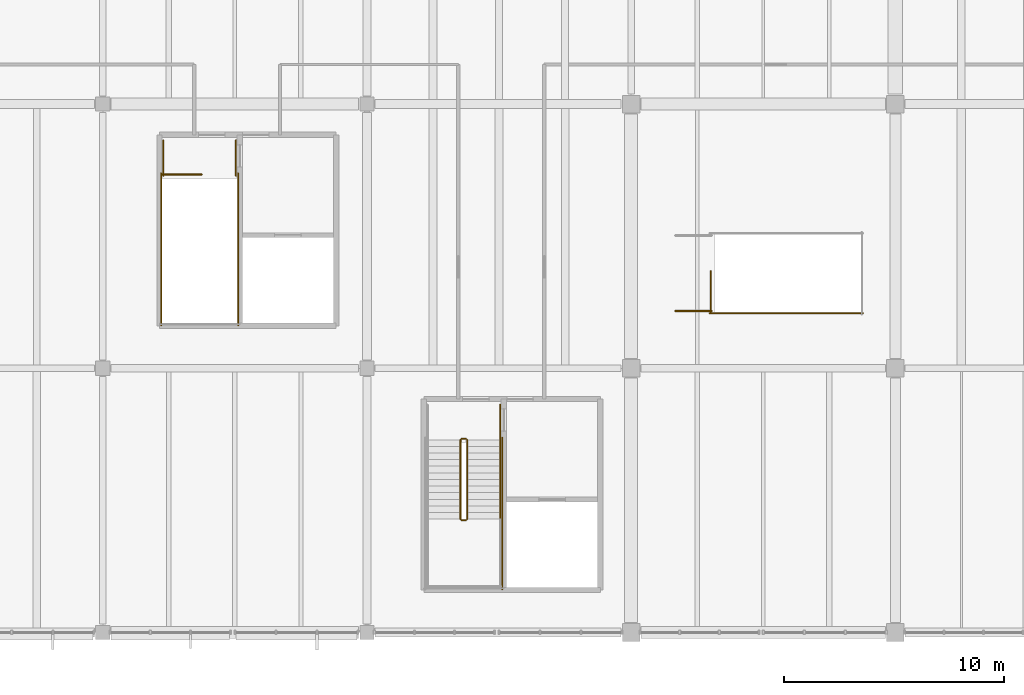
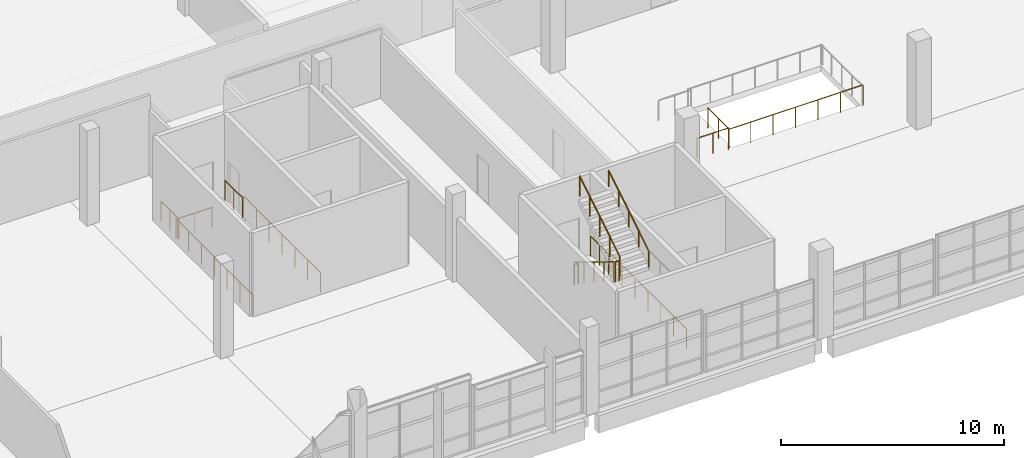
# One storey, part 93 of 112: 15 railings.
"""IFC4 building model written with IfcOpenShell, lengths in metres."""

import ifcopenshell
import ifcopenshell.guid

model = None  # the IFC model being written
_history = None  # IfcOwnerHistory: only IFC2X3 demands one
_inside = {}  # id of a spatial element -> (the spatial element, [elements in it])
_under = {}  # id of a project, library or spatial element -> (it, [spatial elements below it])
_declared = {}  # id of a project -> (the project, [libraries it declares])
_typed = {}  # id of a type object -> (the type object, [elements of that type])
_made_of = {}  # id of a material, layer set ... -> (it, [elements and type objects made of it])


def new_model(schema):
    """Start an empty IFC model of exactly this schema.

    Asked for "IFC4X3", IfcOpenShell would pick the latest addendum, in which some entities
    have other attributes; the version numbers below select the first issue.
    IFC2X3 requires an IfcOwnerHistory on every rooted entity: one is made here for all.
    """
    global model, _history
    if schema == "IFC4X3":
        model = ifcopenshell.file(schema_version=(4, 3, 0, 0))
    else:
        model = ifcopenshell.file(schema=schema)
    _inside.clear()
    _under.clear()
    _declared.clear()
    _typed.clear()
    _made_of.clear()
    _history = None
    if model.schema == "IFC2X3":
        org = make("IfcOrganization", Name="unknown")
        user = make(
            "IfcPersonAndOrganization",
            ThePerson=make("IfcPerson", FamilyName="unknown"),
            TheOrganization=org,
        )
        app = make(
            "IfcApplication",
            ApplicationDeveloper=org,
            Version="unknown",
            ApplicationFullName="unknown",
            ApplicationIdentifier="unknown",
        )
        _history = make(
            "IfcOwnerHistory",
            OwningUser=user,
            OwningApplication=app,
            ChangeAction="ADDED",
            CreationDate=0,
        )
    return model


def make(cls, **values):
    """One entity of the class cls with the attributes given. An attribute that is None is left unset."""
    return model.create_entity(
        cls, **{name: value for name, value in values.items() if value is not None}
    )


def rooted(cls, **values):
    """An entity with a GlobalId (a new one), such as an element, a storey or a relation."""
    return make(cls, GlobalId=ifcopenshell.guid.new(), OwnerHistory=_history, **values)


def si_unit(unit_type, name, prefix=None):
    """IfcSIUnit, for example si_unit("LENGTHUNIT", "METRE", prefix="MILLI")."""
    return make("IfcSIUnit", UnitType=unit_type, Prefix=prefix, Name=name)


def assignment(units):
    """IfcUnitAssignment: the units of a project."""
    return None if units is None else make("IfcUnitAssignment", Units=units)


def point(xyz):
    """IfcCartesianPoint."""
    return None if xyz is None else make("IfcCartesianPoint", Coordinates=xyz)


def direction(xyz):
    """IfcDirection."""
    return None if xyz is None else make("IfcDirection", DirectionRatios=xyz)


def frame(location, z_axis=None, x_axis=None):
    """IfcAxis2Placement3D, a coordinate frame: its origin and axes. An axis left out is left unset."""
    return make(
        "IfcAxis2Placement3D",
        Location=point(location),
        Axis=direction(z_axis),
        RefDirection=direction(x_axis),
    )


def frame_2d(location, x_axis=None):
    """IfcAxis2Placement2D, a coordinate frame in the plane: its origin and x axis."""
    return make(
        "IfcAxis2Placement2D", Location=point(location), RefDirection=direction(x_axis)
    )


def origin():
    """The frame at (0, 0, 0) with its axes left unset."""
    return frame((0.0, 0.0, 0.0))


def origin_2d():
    """The frame at (0, 0) in the plane with its x axis left unset."""
    return frame_2d((0.0, 0.0))


def place(relative_to, where):
    """IfcLocalPlacement: puts the frame where relative to a parent placement (None: the world)."""
    return make(
        "IfcLocalPlacement", PlacementRelTo=relative_to, RelativePlacement=where
    )


def context(
    kind, dimensions, precision=None, world=None, true_north=None, identifier=None
):
    """IfcGeometricRepresentationContext, for example the 3D "Model" context."""
    return make(
        "IfcGeometricRepresentationContext",
        ContextIdentifier=identifier,
        ContextType=kind,
        CoordinateSpaceDimension=dimensions,
        Precision=precision,
        WorldCoordinateSystem=world,
        TrueNorth=true_north,
    )


def subcontext(parent, identifier, kind, view, scale=None):
    """IfcGeometricRepresentationSubContext, for example "Body" below "Model"."""
    return make(
        "IfcGeometricRepresentationSubContext",
        ContextIdentifier=identifier,
        ContextType=kind,
        ParentContext=parent,
        TargetScale=scale,
        TargetView=view,
    )


def project(units=None, contexts=None):
    """IfcProject with its units and contexts."""
    return rooted(
        "IfcProject",
        Name="project",
        RepresentationContexts=contexts,
        UnitsInContext=assignment(units),
    )


def spatial(cls, under=None, at=None, **own):
    """A site, building, storey or space (cls), placed at a placement, below another one or the project."""
    s = rooted(cls, ObjectPlacement=at, **own)
    if under is not None:
        _under.setdefault(under.id(), (under, []))[1].append(s)
    return s


def profile(cls, at=None, kind="AREA", **sizes):
    """A parametric profile (cls). Its sizes go by their IFC names, for example OverallWidth=200.0."""
    return make(cls, ProfileType=kind, Position=at, **sizes)


def circle(**sizes):
    """IfcCircleProfileDef."""
    return profile("IfcCircleProfileDef", **sizes)


def extrude(swept, where, along, depth):
    """IfcExtrudedAreaSolid: the profile swept, set in the frame where, extruded along a direction by depth."""
    return make(
        "IfcExtrudedAreaSolid",
        SweptArea=swept,
        Position=where,
        ExtrudedDirection=direction(along),
        Depth=depth,
    )


def shape(context_of_items, identifier, shape_type, items):
    """IfcShapeRepresentation: the items that make up one representation, for example the "Body"."""
    return make(
        "IfcShapeRepresentation",
        ContextOfItems=context_of_items,
        RepresentationIdentifier=identifier,
        RepresentationType=shape_type,
        Items=items,
    )


def material(Name=None, Category=None):
    """IfcMaterial."""
    return make("IfcMaterial", Name=Name, Category=Category)


def made_of(thing, what):
    """Note that an element or type object is made of a material, layer set ...; save() writes the relation."""
    if what is not None:
        _made_of.setdefault(what.id(), (what, []))[1].append(thing)
    return thing


def type_object(cls, material=None, **own):
    """A type object (cls), such as IfcWallType, which elements share."""
    return made_of(rooted(cls, **own), material)


def element(
    cls,
    number,
    at=None,
    inside=None,
    cuts=None,
    type_object=None,
    material=None,
    context=None,
    identifier="Body",
    shape_type=None,
    held_by="IfcProductDefinitionShape",
    body=None,
    shapes=None,
    **own,
):
    """One element of the class cls, such as IfcWall. Its Tag is "e" and its number.

    at: its placement. inside: the storey or other place that contains it. cuts: it is an
    opening in that element (IfcRelVoidsElement). A single representation is given by context,
    identifier, shape_type and body (its items); several are given by shapes. held_by: the class
    of the entity that holds the representations. save() writes the other relations.
    """
    e = rooted(cls, Tag="e%d" % number, ObjectPlacement=at, **own)
    if body is not None:
        shapes = [shape(context, identifier, shape_type, body)]
    if shapes is not None:
        e.Representation = make(held_by, Representations=shapes)
    if inside is not None:
        _inside.setdefault(inside.id(), (inside, []))[1].append(e)
    if cuts is not None:
        rooted(
            "IfcRelVoidsElement", RelatingBuildingElement=cuts, RelatedOpeningElement=e
        )
    if type_object is not None:
        _typed.setdefault(type_object.id(), (type_object, []))[1].append(e)
    return made_of(e, material)


def aggregate(whole, parts):
    """IfcRelAggregates: a whole, such as a stair, and the parts it consists of."""
    return rooted("IfcRelAggregates", RelatingObject=whole, RelatedObjects=parts)


def save(model, path):
    """Write the relations noted so far, then the file.

    IfcRelAggregates (storeys below a building ...), IfcRelContainedInSpatialStructure (elements
    in a storey), IfcRelDefinesByType, IfcRelAssociatesMaterial and IfcRelDeclares: one each for
    every whole, place, type object, material and project.
    """
    for whole, parts in _under.values():
        aggregate(whole, parts)
    for where, things in _inside.values():
        rooted(
            "IfcRelContainedInSpatialStructure",
            RelatedElements=things,
            RelatingStructure=where,
        )
    for kind, things in _typed.values():
        rooted("IfcRelDefinesByType", RelatedObjects=things, RelatingType=kind)
    for what, things in _made_of.values():
        rooted("IfcRelAssociatesMaterial", RelatedObjects=things, RelatingMaterial=what)
    for by, libraries in _declared.values():
        rooted("IfcRelDeclares", RelatingContext=by, RelatedDefinitions=libraries)
    model.write(path)


model = new_model("IFC4")

# Units and contexts
model_context = context("Model", 3, precision=1e-05, world=origin(), true_north=direction((0.0, 1.0)))
body_context = subcontext(model_context, "Body", "Model", "MODEL_VIEW")
ifc_project = project(units=[si_unit("LENGTHUNIT", "METRE"), si_unit("AREAUNIT", "SQUARE_METRE"), si_unit("VOLUMEUNIT", "CUBIC_METRE"), si_unit("PLANEANGLEUNIT", "RADIAN"), si_unit("MASSUNIT", "GRAM", prefix="KILO")], contexts=[model_context])

# Site, building, storey
site_placement = place(None, origin())
site = spatial("IfcSite", under=ifc_project, at=site_placement, CompositionType="ELEMENT")
building_placement = place(site_placement, origin())
building = spatial("IfcBuilding", under=site, at=building_placement, Name="Kamomehara Wholesale Market", CompositionType="ELEMENT")
storey_placement = place(building_placement, frame((0.0, 0.0, 6.60009765625)))
storey = spatial("IfcBuildingStorey", under=building, at=storey_placement, Name="L01", CompositionType="ELEMENT", Elevation=6.60009765625)

# Railings
ifc_material_1 = material(Name="Steel SN400B", Category="steel")
railing_type_1 = type_object("IfcRailingType", Name="RAL-HND-900", PredefinedType="HANDRAIL", material=ifc_material_1)
railing_1_placement = place(storey_placement, frame((114.050048828125, 17.14990234375, 2.58447265625)))
element("IfcRailing", 1, at=railing_1_placement, inside=storey, type_object=railing_type_1, Name="L01 ST-07 stair handrail 2", PredefinedType="HANDRAIL", context=body_context, shape_type="SweptSolid", body=[
    extrude(circle(Radius=0.02392578125, at=origin_2d()), frame((0.0, 0.0, 0.8759765625), z_axis=(0.0, 0.85167021472, 0.524078090897), x_axis=(-1.0, 0.0, 0.0)), (0.0, 0.0, 1.0), 4.22705078125),
    extrude(circle(Radius=0.02099609375, at=origin_2d()), origin(), (0.0, 0.0, 1.0), 0.851806640625),
    extrude(circle(Radius=0.02099609375, at=origin_2d()), frame((0.0, 0.89990234375, 0.5537109375)), (0.0, 0.0, 1.0), 0.851806640625),
    extrude(circle(Radius=0.02099609375, at=origin_2d()), frame((0.0, 1.800048828125, 1.107666015625)), (0.0, 0.0, 1.0), 0.851806640625),
    extrude(circle(Radius=0.02099609375, at=origin_2d()), frame((0.0, 2.7001953125, 1.66162109375)), (0.0, 0.0, 1.0), 0.851806640625),
    extrude(circle(Radius=0.02099609375, at=origin_2d()), frame((0.0, 3.60009765625, 2.21533203125)), (0.0, 0.0, 1.0), 0.851806640625),
])
ifc_material_2 = material(Name="Steel SN400B", Category="steel")
railing_type_2 = type_object("IfcRailingType", Name="RAL-INT-1100", PredefinedType="BALUSTRADE", material=ifc_material_2)
railing_2_placement = place(storey_placement, frame((98.699951171875, 32.800048828125, 0.0)))
element("IfcRailing", 2, at=railing_2_placement, inside=storey, type_object=railing_type_2, Name="L01 ST-06 top well guard 1", PredefinedType="BALUSTRADE", context=body_context, shape_type="SweptSolid", body=[
    extrude(circle(Radius=0.02392578125, at=origin_2d()), frame((0.0, 0.0, 1.09619140625), z_axis=(1.0, 0.0, 0.0), x_axis=(0.0, 1.0, 0.0)), (0.0, 0.0, 1.0), 1.800048828125),
    extrude(circle(Radius=0.02099609375, at=origin_2d()), origin(), (0.0, 0.0, 1.0), 1.072021484375),
    extrude(circle(Radius=0.02099609375, at=origin_2d()), frame((0.89990234375, 0.0, 0.0)), (0.0, 0.0, 1.0), 1.072021484375),
    extrude(circle(Radius=0.02099609375, at=origin_2d()), frame((1.800048828125, 0.0, 0.0)), (0.0, 0.0, 1.0), 1.072021484375),
])
for number, where, name in (
    (3, (98.64990234375, 32.85009765625, 0.0), "L01 ST-06 top well guard 2"),
    (4, (102.14990234375, 32.85009765625, 0.0), "L01 ST-06 top well guard 3"),
):
    element("IfcRailing", number, at=place(storey_placement, frame(where)), inside=storey, type_object=railing_type_2, Name=name, PredefinedType="BALUSTRADE", context=body_context, shape_type="SweptSolid", body=[
        extrude(circle(Radius=0.02392578125, at=origin_2d()), frame((0.0, 0.0, 1.09619140625), z_axis=(0.0, -1.0, 0.0), x_axis=(1.0, 0.0, 0.0)), (0.0, 0.0, 1.0), 6.900146484375),
        extrude(circle(Radius=0.02099609375, at=origin_2d()), origin(), (0.0, 0.0, 1.0), 1.072021484375),
        extrude(circle(Radius=0.02099609375, at=origin_2d()), frame((0.0, -1.14990234375, 0.0)), (0.0, 0.0, 1.0), 1.072021484375),
        extrude(circle(Radius=0.02099609375, at=origin_2d()), frame((0.0, -2.300048828125, 0.0)), (0.0, 0.0, 1.0), 1.072021484375),
        extrude(circle(Radius=0.02099609375, at=origin_2d()), frame((0.0, -3.4501953125, 0.0)), (0.0, 0.0, 1.0), 1.072021484375),
        extrude(circle(Radius=0.02099609375, at=origin_2d()), frame((0.0, -4.60009765625, 0.0)), (0.0, 0.0, 1.0), 1.072021484375),
        extrude(circle(Radius=0.02099609375, at=origin_2d()), frame((0.0, -5.75, 0.0)), (0.0, 0.0, 1.0), 1.072021484375),
        extrude(circle(Radius=0.02099609375, at=origin_2d()), frame((0.0, -6.900146484375, 0.0)), (0.0, 0.0, 1.0), 1.072021484375),
    ])
for number, where, name in (
    (5, (98.75, 34.35009765625, 0.0), "L01 ST-06 top well guard 5"),
    (6, (102.050048828125, 34.35009765625, 0.0), "L01 ST-06 top well guard 6"),
):
    element("IfcRailing", number, at=place(storey_placement, frame(where)), inside=storey, type_object=railing_type_2, Name=name, PredefinedType="BALUSTRADE", context=body_context, shape_type="SweptSolid", body=[
        extrude(circle(Radius=0.02392578125, at=origin_2d()), frame((0.0, 0.0, 1.09619140625), z_axis=(0.0, -1.0, 0.0), x_axis=(1.0, 0.0, 0.0)), (0.0, 0.0, 1.0), 1.60009765625),
        extrude(circle(Radius=0.02099609375, at=origin_2d()), origin(), (0.0, 0.0, 1.0), 1.072021484375),
        extrude(circle(Radius=0.02099609375, at=origin_2d()), frame((0.0, -0.800048828125, 0.0)), (0.0, 0.0, 1.0), 1.072021484375),
        extrude(circle(Radius=0.02099609375, at=origin_2d()), frame((0.0, -1.60009765625, 0.0)), (0.0, 0.0, 1.0), 1.072021484375),
    ])
railing_3_placement = place(storey_placement, frame((112.25, 20.75, 0.1845703125)))
element("IfcRailing", 7, at=railing_3_placement, inside=storey, type_object=railing_type_2, Name="L01 ST-07 stair guard 1", PredefinedType="BALUSTRADE", context=body_context, shape_type="SweptSolid", body=[
    extrude(circle(Radius=0.02392578125, at=origin_2d()), frame((0.0, 0.0, 1.09619140625), z_axis=(0.0, -0.85167021472, 0.524078090897), x_axis=(1.0, 0.0, 0.0)), (0.0, 0.0, 1.0), 4.22705078125),
    extrude(circle(Radius=0.02099609375, at=origin_2d()), origin(), (0.0, 0.0, 1.0), 1.072021484375),
    extrude(circle(Radius=0.02099609375, at=origin_2d()), frame((0.0, -0.89990234375, 0.5537109375)), (0.0, 0.0, 1.0), 1.072021484375),
    extrude(circle(Radius=0.02099609375, at=origin_2d()), frame((0.0, -1.800048828125, 1.107666015625)), (0.0, 0.0, 1.0), 1.072021484375),
    extrude(circle(Radius=0.02099609375, at=origin_2d()), frame((0.0, -2.7001953125, 1.66162109375)), (0.0, 0.0, 1.0), 1.072021484375),
    extrude(circle(Radius=0.02099609375, at=origin_2d()), frame((0.0, -3.60009765625, 2.21533203125)), (0.0, 0.0, 1.0), 1.072021484375),
])
railing_4_placement = place(storey_placement, frame((112.300048828125, 17.10009765625, 2.39990234375)))
element("IfcRailing", 8, at=railing_4_placement, inside=storey, type_object=railing_type_2, Name="L01 ST-07 stair guard 2", PredefinedType="BALUSTRADE", context=body_context, shape_type="SweptSolid", body=[
    extrude(circle(Radius=0.02392578125, at=origin_2d()), frame((0.0, 0.0, 1.09619140625), z_axis=(1.0, 0.0, 0.0), x_axis=(0.0, 1.0, 0.0)), (0.0, 0.0, 1.0), 0.199951171875),
    extrude(circle(Radius=0.02099609375, at=origin_2d()), origin(), (0.0, 0.0, 1.0), 1.072021484375),
    extrude(circle(Radius=0.02099609375, at=origin_2d()), frame((0.199951171875, 0.0, 0.0)), (0.0, 0.0, 1.0), 1.072021484375),
])
railing_5_placement = place(storey_placement, frame((112.550048828125, 17.14990234375, 2.58447265625)))
element("IfcRailing", 9, at=railing_5_placement, inside=storey, type_object=railing_type_2, Name="L01 ST-07 stair guard 6", PredefinedType="BALUSTRADE", context=body_context, shape_type="SweptSolid", body=[
    extrude(circle(Radius=0.02392578125, at=origin_2d()), frame((0.0, 0.0, 1.09619140625), z_axis=(0.0, 0.85167021472, 0.524078090897), x_axis=(-1.0, 0.0, 0.0)), (0.0, 0.0, 1.0), 4.22705078125),
    extrude(circle(Radius=0.02099609375, at=origin_2d()), origin(), (0.0, 0.0, 1.0), 1.072021484375),
    extrude(circle(Radius=0.02099609375, at=origin_2d()), frame((0.0, 0.89990234375, 0.5537109375)), (0.0, 0.0, 1.0), 1.072021484375),
    extrude(circle(Radius=0.02099609375, at=origin_2d()), frame((0.0, 1.800048828125, 1.107666015625)), (0.0, 0.0, 1.0), 1.072021484375),
    extrude(circle(Radius=0.02099609375, at=origin_2d()), frame((0.0, 2.7001953125, 1.66162109375)), (0.0, 0.0, 1.0), 1.072021484375),
    extrude(circle(Radius=0.02099609375, at=origin_2d()), frame((0.0, 3.60009765625, 2.21533203125)), (0.0, 0.0, 1.0), 1.072021484375),
])
railing_6_placement = place(storey_placement, frame((112.300048828125, 20.800048828125, 0.0)))
element("IfcRailing", 10, at=railing_6_placement, inside=storey, type_object=railing_type_2, Name="L01 ST-07 stair guard 7", PredefinedType="BALUSTRADE", context=body_context, shape_type="SweptSolid", body=[
    extrude(circle(Radius=0.02392578125, at=origin_2d()), frame((0.0, 0.0, 1.09619140625), z_axis=(1.0, 0.0, 0.0), x_axis=(0.0, 1.0, 0.0)), (0.0, 0.0, 1.0), 0.199951171875),
    extrude(circle(Radius=0.02099609375, at=origin_2d()), origin(), (0.0, 0.0, 1.0), 1.072021484375),
    extrude(circle(Radius=0.02099609375, at=origin_2d()), frame((0.199951171875, 0.0, 0.0)), (0.0, 0.0, 1.0), 1.072021484375),
])
railing_7_placement = place(storey_placement, frame((114.050048828125, 22.35009765625, 0.0)))
element("IfcRailing", 11, at=railing_7_placement, inside=storey, type_object=railing_type_2, Name="L01 ST-07 stair guard 9", PredefinedType="BALUSTRADE", context=body_context, shape_type="SweptSolid", body=[
    extrude(circle(Radius=0.02392578125, at=origin_2d()), frame((0.0, 0.0, 1.09619140625), z_axis=(0.0, -1.0, 0.0), x_axis=(1.0, 0.0, 0.0)), (0.0, 0.0, 1.0), 1.60009765625),
    extrude(circle(Radius=0.02099609375, at=origin_2d()), origin(), (0.0, 0.0, 1.0), 1.072021484375),
    extrude(circle(Radius=0.02099609375, at=origin_2d()), frame((0.0, -0.800048828125, 0.0)), (0.0, 0.0, 1.0), 1.072021484375),
    extrude(circle(Radius=0.02099609375, at=origin_2d()), frame((0.0, -1.60009765625, 0.0)), (0.0, 0.0, 1.0), 1.072021484375),
])
railing_8_placement = place(storey_placement, frame((114.14990234375, 20.85009765625, 0.0)))
element("IfcRailing", 12, at=railing_8_placement, inside=storey, type_object=railing_type_2, Name="L01 ST-07 stair guard 11", PredefinedType="BALUSTRADE", context=body_context, shape_type="SweptSolid", body=[
    extrude(circle(Radius=0.02392578125, at=origin_2d()), frame((0.0, 0.0, 1.09619140625), z_axis=(0.0, -1.0, 0.0), x_axis=(1.0, 0.0, 0.0)), (0.0, 0.0, 1.0), 6.900146484375),
    extrude(circle(Radius=0.02099609375, at=origin_2d()), origin(), (0.0, 0.0, 1.0), 1.072021484375),
    extrude(circle(Radius=0.02099609375, at=origin_2d()), frame((0.0, -1.14990234375, 0.0)), (0.0, 0.0, 1.0), 1.072021484375),
    extrude(circle(Radius=0.02099609375, at=origin_2d()), frame((0.0, -2.300048828125, 0.0)), (0.0, 0.0, 1.0), 1.072021484375),
    extrude(circle(Radius=0.02099609375, at=origin_2d()), frame((0.0, -3.4501953125, 0.0)), (0.0, 0.0, 1.0), 1.072021484375),
    extrude(circle(Radius=0.02099609375, at=origin_2d()), frame((0.0, -4.60009765625, 0.0)), (0.0, 0.0, 1.0), 1.072021484375),
    extrude(circle(Radius=0.02099609375, at=origin_2d()), frame((0.0, -5.75, 0.0)), (0.0, 0.0, 1.0), 1.072021484375),
    extrude(circle(Radius=0.02099609375, at=origin_2d()), frame((0.0, -6.900146484375, 0.0)), (0.0, 0.0, 1.0), 1.072021484375),
])
railing_9_placement = place(storey_placement, frame((123.614990234375, 26.550048828125, 0.0)))
element("IfcRailing", 13, at=railing_9_placement, inside=storey, type_object=railing_type_2, Name="L01 ST-17 top well guard 1", PredefinedType="BALUSTRADE", context=body_context, shape_type="SweptSolid", body=[
    extrude(circle(Radius=0.02392578125, at=origin_2d()), frame((0.0, 0.0, 1.09619140625), z_axis=(0.0, 1.0, 0.0), x_axis=(-1.0, 0.0, 0.0)), (0.0, 0.0, 1.0), 1.864990234375),
    extrude(circle(Radius=0.02099609375, at=origin_2d()), origin(), (0.0, 0.0, 1.0), 1.072021484375),
    extrude(circle(Radius=0.02099609375, at=origin_2d()), frame((0.0, 0.9326171875, 0.0)), (0.0, 0.0, 1.0), 1.072021484375),
    extrude(circle(Radius=0.02099609375, at=origin_2d()), frame((0.0, 1.864990234375, 0.0)), (0.0, 0.0, 1.0), 1.072021484375),
])
railing_10_placement = place(storey_placement, frame((123.56494140625, 26.5, 0.0)))
element("IfcRailing", 14, at=railing_10_placement, inside=storey, type_object=railing_type_2, Name="L01 ST-17 top well guard 2", PredefinedType="BALUSTRADE", context=body_context, shape_type="SweptSolid", body=[
    extrude(circle(Radius=0.02392578125, at=origin_2d()), frame((0.0, 0.0, 1.09619140625), z_axis=(1.0, 0.0, 0.0), x_axis=(0.0, 1.0, 0.0)), (0.0, 0.0, 1.0), 6.965087890625),
    extrude(circle(Radius=0.02099609375, at=origin_2d()), origin(), (0.0, 0.0, 1.0), 1.072021484375),
    extrude(circle(Radius=0.02099609375, at=origin_2d()), frame((1.160888671875, 0.0, 0.0)), (0.0, 0.0, 1.0), 1.072021484375),
    extrude(circle(Radius=0.02099609375, at=origin_2d()), frame((2.32177734375, 0.0, 0.0)), (0.0, 0.0, 1.0), 1.072021484375),
    extrude(circle(Radius=0.02099609375, at=origin_2d()), frame((3.482421875, 0.0, 0.0)), (0.0, 0.0, 1.0), 1.072021484375),
    extrude(circle(Radius=0.02099609375, at=origin_2d()), frame((4.643310546875, 0.0, 0.0)), (0.0, 0.0, 1.0), 1.072021484375),
    extrude(circle(Radius=0.02099609375, at=origin_2d()), frame((5.80419921875, 0.0, 0.0)), (0.0, 0.0, 1.0), 1.072021484375),
    extrude(circle(Radius=0.02099609375, at=origin_2d()), frame((6.965087890625, 0.0, 0.0)), (0.0, 0.0, 1.0), 1.072021484375),
])
railing_11_placement = place(storey_placement, frame((122.0, 26.60009765625, 0.0)))
element("IfcRailing", 15, at=railing_11_placement, inside=storey, type_object=railing_type_2, Name="L01 ST-17 top well guard 5", PredefinedType="BALUSTRADE", context=body_context, shape_type="SweptSolid", body=[
    extrude(circle(Radius=0.02392578125, at=origin_2d()), frame((0.0, 0.0, 1.09619140625), z_axis=(1.0, 0.0, 0.0), x_axis=(0.0, 1.0, 0.0)), (0.0, 0.0, 1.0), 1.6650390625),
    extrude(circle(Radius=0.02099609375, at=origin_2d()), origin(), (0.0, 0.0, 1.0), 1.072021484375),
    extrude(circle(Radius=0.02099609375, at=origin_2d()), frame((0.83251953125, 0.0, 0.0)), (0.0, 0.0, 1.0), 1.072021484375),
    extrude(circle(Radius=0.02099609375, at=origin_2d()), frame((1.6650390625, 0.0, 0.0)), (0.0, 0.0, 1.0), 1.072021484375),
])

save(model, "model.ifc")
